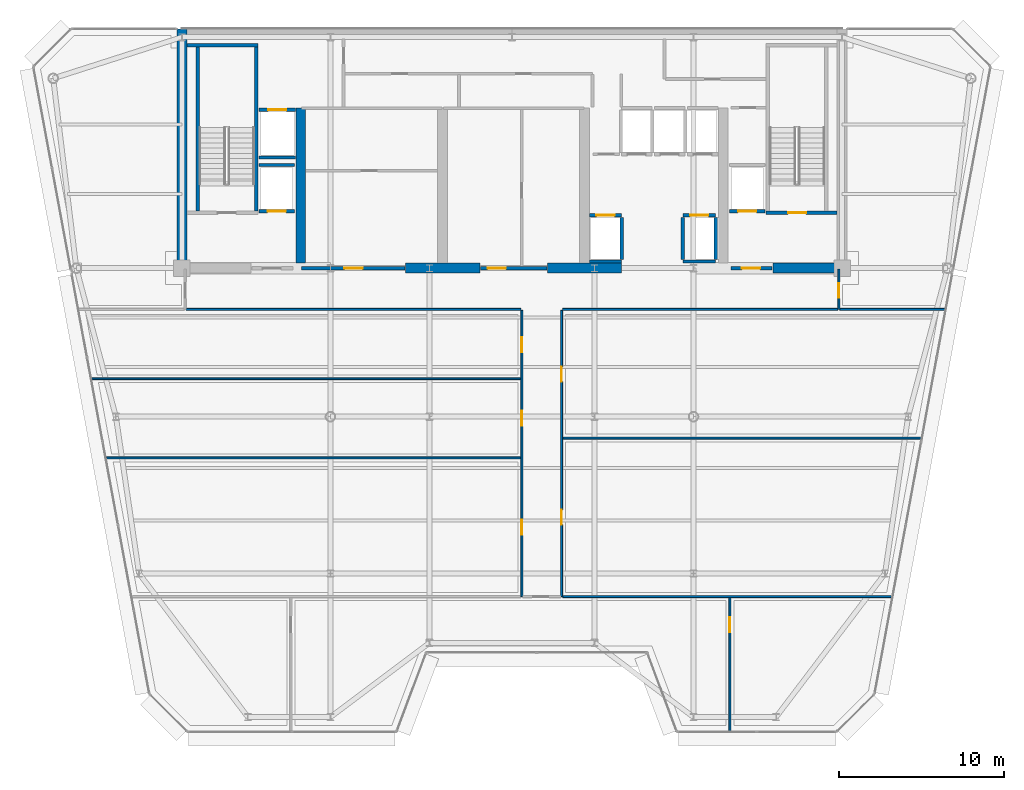
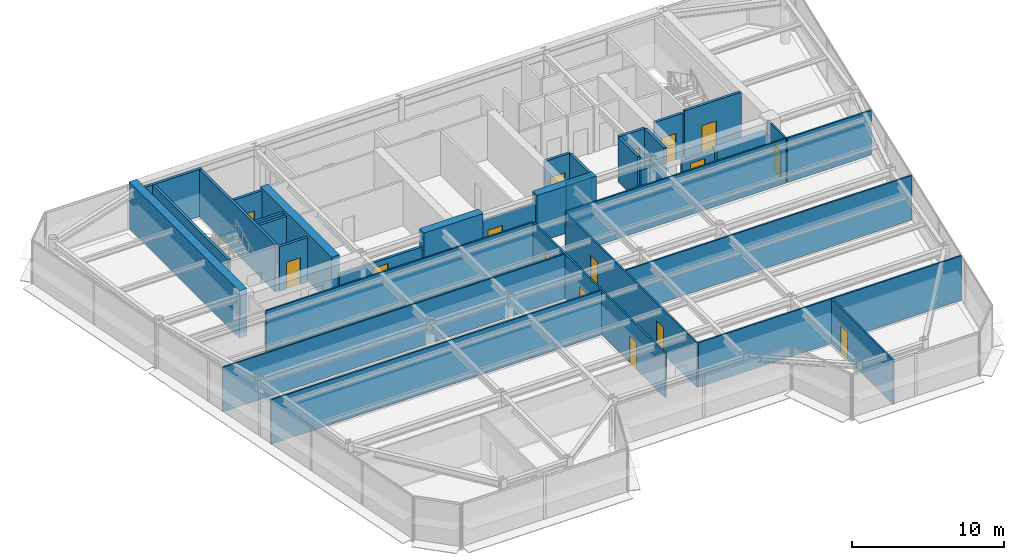
# One storey, part 11 of 17: 35 walls, 16 doors, 16 openings.
"""IFC4 building model written with IfcOpenShell, lengths in metres."""

from ifc_helpers import new_model, si_unit, direction, frame, frame_2d, origin, place, context, subcontext, project, spatial, rectangle, extrude, source, transform, mapped, material, layer, layer_set, type_object, element, fill, save


model = new_model("IFC4")

# Units and contexts
model_context = context("Model", 3, precision=1e-05, world=origin(), true_north=direction((0.0, 1.0)))
body_context = subcontext(model_context, "Body", "Model", "MODEL_VIEW")
ifc_project = project(units=[si_unit("LENGTHUNIT", "METRE"), si_unit("AREAUNIT", "SQUARE_METRE"), si_unit("VOLUMEUNIT", "CUBIC_METRE"), si_unit("PLANEANGLEUNIT", "RADIAN"), si_unit("MASSUNIT", "GRAM", prefix="KILO")], contexts=[model_context])

# Site, building, storey
site_placement = place(None, origin())
site = spatial("IfcSite", under=ifc_project, at=site_placement, CompositionType="ELEMENT")
building_placement = place(site_placement, origin())
building = spatial("IfcBuilding", under=site, at=building_placement, Name="Vaeldorn Concourse Tower", CompositionType="ELEMENT")
storey_placement = place(building_placement, frame((0.0, 0.0, 230.800048828125)))
storey = spatial("IfcBuildingStorey", under=building, at=storey_placement, Name="L59", CompositionType="ELEMENT", Elevation=230.800048828125)

# Walls
ifc_material_1 = material(Name="Concrete C50/60", Category="concrete")
ifc_layer_1 = layer(ifc_material_1, 0.60009765625)
ifc_layer_set_1 = layer_set([ifc_layer_1], Name="Concrete C50/60")
wall_type_1 = type_object("IfcWallType", Name="WL-CORE-600", PredefinedType="SHEAR", material=ifc_layer_set_1)
wall_1_placement = place(storey_placement, frame((14.0, 36.5, 0.0), z_axis=(0.0, 0.0, 1.0), x_axis=(0.0, 1.0, 0.0)))
element("IfcWall", 1, at=wall_1_placement, inside=storey, type_object=wall_type_1, Name="Rear Core Shear Wall L59 W1", PredefinedType="SHEAR", context=body_context, shape_type="SweptSolid", body=[
    extrude(rectangle(XDim=14.5, YDim=0.60009765625, at=frame_2d((7.25, 0.0))), origin(), (0.0, 0.0, 1.0), 3.800048828125),
])
for number, where, z_axis, x_axis, name in (
    (2, (27.550048828125, 36.5, 0.0), (0.0, 0.0, 1.0), (1.0, 0.0, 0.0), "Rear Core Shear Wall L59 S2"),
    (3, (36.14990234375, 36.5, 0.0), (0.0, 0.0, 1.0), (1.0, 0.0, 0.0), "Rear Core Shear Wall L59 S3"),
):
    element("IfcWall", number, at=place(storey_placement, frame(where, z_axis=z_axis, x_axis=x_axis)), inside=storey, type_object=wall_type_1, Name=name, PredefinedType="SHEAR", context=body_context, shape_type="SweptSolid", body=[
        extrude(rectangle(XDim=4.5, YDim=0.60009765625, at=frame_2d((2.25, 0.0))), origin(), (0.0, 0.0, 1.0), 3.800048828125),
    ])
wall_2_placement = place(storey_placement, frame((49.800048828125, 36.5, 0.0), z_axis=(0.0, 0.0, 1.0), x_axis=(1.0, 0.0, 0.0)))
element("IfcWall", 4, at=wall_2_placement, inside=storey, type_object=wall_type_1, Name="Rear Core Shear Wall L59 S4", PredefinedType="SHEAR", context=body_context, shape_type="SweptSolid", body=[
    extrude(rectangle(XDim=3.8798828125, YDim=0.60009765625, at=frame_2d((1.93994140625, 0.0))), origin(), (0.0, 0.0, 1.0), 2.579833984375),
])
wall_3_placement = place(storey_placement, frame((21.199951171875, 36.820068359375, 0.0), z_axis=(0.0, 0.0, 1.0), x_axis=(0.0, 1.0, 0.0)))
element("IfcWall", 5, at=wall_3_placement, inside=storey, type_object=wall_type_1, Name="Rear Core Shear Wall L59 M1", PredefinedType="SHEAR", context=body_context, shape_type="SweptSolid", body=[
    extrude(rectangle(XDim=9.3798828125, YDim=0.60009765625, at=frame_2d((4.68994140625, 0.0))), origin(), (0.0, 0.0, 1.0), 3.800048828125),
])
ifc_material_2 = material(Name="Gypsum Board Partition", Category="gypsum")
ifc_layer_2 = layer(ifc_material_2, 0.1201171875)
ifc_layer_set_2 = layer_set([ifc_layer_2], Name="Gypsum Board Partition")
wall_type_2 = type_object("IfcWallType", Name="WL-PART-120", PredefinedType="PARTITIONING", material=ifc_layer_set_2)
wall_4_placement = place(storey_placement, frame((14.260009765625, 34.0, 0.0), z_axis=(0.0, 0.0, 1.0), x_axis=(1.0, 0.0, 0.0)))
element("IfcWall", 6, at=wall_4_placement, inside=storey, type_object=wall_type_2, Name="Interior Wall PW-L59-C3SW", PredefinedType="PARTITIONING", context=body_context, shape_type="SweptSolid", body=[
    extrude(rectangle(XDim=20.280029296875, YDim=0.1201171875, at=frame_2d((10.14013671875, 0.0))), origin(), (0.0, 0.0, 1.0), 3.579833984375),
])
wall_5_placement = place(storey_placement, frame((37.06005859375, 34.0, 0.0), z_axis=(0.0, 0.0, 1.0), x_axis=(1.0, 0.0, 0.0)))
element("IfcWall", 7, at=wall_5_placement, inside=storey, type_object=wall_type_2, Name="Interior Wall PW-L59-C3SE", PredefinedType="PARTITIONING", context=body_context, shape_type="SweptSolid", body=[
    extrude(rectangle(XDim=16.679931640625, YDim=0.1201171875, at=frame_2d((8.33984375, 0.0))), origin(), (0.0, 0.0, 1.0), 3.579833984375),
])

# Wall, opening, door
wall_6_placement = place(storey_placement, frame((53.800048828125, 34.0, 0.0), z_axis=(0.0, 0.0, 1.0), x_axis=(0.0, 1.0, 0.0)))
wall_6 = element("IfcWall", 8, at=wall_6_placement, inside=storey, type_object=wall_type_2, Name="Interior Wall PW-L59-C3E", PredefinedType="PARTITIONING", context=body_context, shape_type="SweptSolid", body=[
    extrude(rectangle(XDim=2.43994140625, YDim=0.1201171875, at=frame_2d((1.219970703125, 0.0))), origin(), (0.0, 0.0, 1.0), 3.579833984375),
])
opening_1_placement = place(wall_6_placement, frame((0.699951171875, 0.0, 0.0)))
opening_1 = element("IfcOpeningElement", 9, at=opening_1_placement, cuts=wall_6, Name="Opening D-03", PredefinedType="OPENING", context=body_context, shape_type="SweptSolid", body=[
    extrude(rectangle(XDim=0.89990234375, YDim=2.14990234375, at=frame_2d((0.449951171875, 1.074951171875))), frame((0.0, 0.070068359375, 0.0), z_axis=(0.0, -1.0, 0.0), x_axis=(1.0, 0.0, 0.0)), (0.0, 0.0, 1.0), 0.14013671875),
])
ifc_material_3 = material(Name="Acoustic Bronze-Framed Glass Door", Category="glass")
door_type_1 = type_object("IfcDoorType", Name="DR-INT-900", OperationType="NOTDEFINED", PredefinedType="DOOR", material=ifc_material_3)
shared_shape_1 = source(origin(), body_context, "Body", "SweptSolid", [
    extrude(rectangle(XDim=0.89990234375, YDim=2.14990234375, at=frame_2d((0.449951171875, 1.074951171875))), frame((0.0, 0.02490234375, 0.0), z_axis=(0.0, -1.0, 0.0), x_axis=(1.0, 0.0, 0.0)), (0.0, 0.0, 1.0), 0.050048828125),
])
door_1_placement = place(opening_1_placement, origin())
door_1 = element("IfcDoor", 10, at=door_1_placement, inside=storey, type_object=door_type_1, Name="Interior Door DR-L59-Z3NE", OperationType="SINGLE_SWING_RIGHT", OverallHeight=2.14990234375, OverallWidth=0.89990234375, PredefinedType="DOOR", context=body_context, shape_type="MappedRepresentation", body=[
    mapped(shared_shape_1, transform((0.0, 0.0, 0.0), scale=1.0)),
])
fill(opening_1, door_1)

# Wall, openings, doors
wall_7_placement = place(storey_placement, frame((34.60009765625, 16.60009765625, 0.0), z_axis=(0.0, 0.0, 1.0), x_axis=(0.0, 1.0, 0.0)))
wall_7 = element("IfcWall", 11, at=wall_7_placement, inside=storey, type_object=wall_type_2, Name="Interior Wall PW-L59-CSPW", PredefinedType="PARTITIONING", context=body_context, shape_type="SweptSolid", body=[
    extrude(rectangle(XDim=17.33984375, YDim=0.1201171875, at=frame_2d((8.669921875, 0.0))), origin(), (0.0, 0.0, 1.0), 3.579833984375),
])
opening_2_placement = place(wall_7_placement, frame((3.75, 0.0, 0.0)))
opening_2 = element("IfcOpeningElement", 12, at=opening_2_placement, cuts=wall_7, Name="Opening D-03", PredefinedType="OPENING", context=body_context, shape_type="SweptSolid", body=[
    extrude(rectangle(XDim=0.89990234375, YDim=2.14990234375, at=frame_2d((0.449951171875, 1.074951171875))), frame((0.0, 0.070068359375, 0.0), z_axis=(0.0, -1.0, 0.0), x_axis=(1.0, 0.0, 0.0)), (0.0, 0.0, 1.0), 0.14013671875),
])
opening_3_placement = place(wall_7_placement, frame((10.35009765625, 0.0, 0.0)))
opening_3 = element("IfcOpeningElement", 13, at=opening_3_placement, cuts=wall_7, Name="Opening D-03", PredefinedType="OPENING", context=body_context, shape_type="SweptSolid", body=[
    extrude(rectangle(XDim=0.89990234375, YDim=2.14990234375, at=frame_2d((0.449951171875, 1.074951171875))), frame((0.0, 0.070068359375, 0.0), z_axis=(0.0, -1.0, 0.0), x_axis=(1.0, 0.0, 0.0)), (0.0, 0.0, 1.0), 0.14013671875),
])
opening_4_placement = place(wall_7_placement, frame((14.820068359375, 0.0, 0.0)))
opening_4 = element("IfcOpeningElement", 14, at=opening_4_placement, cuts=wall_7, Name="Opening D-03", PredefinedType="OPENING", context=body_context, shape_type="SweptSolid", body=[
    extrude(rectangle(XDim=0.89990234375, YDim=2.14990234375, at=frame_2d((0.449951171875, 1.074951171875))), frame((0.0, 0.070068359375, 0.0), z_axis=(0.0, -1.0, 0.0), x_axis=(1.0, 0.0, 0.0)), (0.0, 0.0, 1.0), 0.14013671875),
])
door_2_placement = place(opening_2_placement, origin())
door_2 = element("IfcDoor", 15, at=door_2_placement, inside=storey, type_object=door_type_1, Name="Interior Door DR-L59-Z3W1", OperationType="SINGLE_SWING_LEFT", OverallHeight=2.14990234375, OverallWidth=0.89990234375, PredefinedType="DOOR", context=body_context, shape_type="MappedRepresentation", body=[
    mapped(shared_shape_1, transform((0.0, 0.0, 0.0), scale=1.0)),
])
fill(opening_2, door_2)
door_3_placement = place(opening_3_placement, origin())
door_3 = element("IfcDoor", 16, at=door_3_placement, inside=storey, type_object=door_type_1, Name="Interior Door DR-L59-Z3W2", OperationType="SINGLE_SWING_RIGHT", OverallHeight=2.14990234375, OverallWidth=0.89990234375, PredefinedType="DOOR", context=body_context, shape_type="MappedRepresentation", body=[
    mapped(shared_shape_1, transform((0.0, 0.0, 0.0), scale=1.0)),
])
fill(opening_3, door_3)
door_4_placement = place(opening_4_placement, origin())
door_4 = element("IfcDoor", 17, at=door_4_placement, inside=storey, type_object=door_type_1, Name="Interior Door DR-L59-Z3W3", OperationType="SINGLE_SWING_LEFT", OverallHeight=2.14990234375, OverallWidth=0.89990234375, PredefinedType="DOOR", context=body_context, shape_type="MappedRepresentation", body=[
    mapped(shared_shape_1, transform((0.0, 0.0, 0.0), scale=1.0)),
])
fill(opening_4, door_4)

wall_8_placement = place(storey_placement, frame((37.0, 16.60009765625, 0.0), z_axis=(0.0, 0.0, 1.0), x_axis=(0.0, 1.0, 0.0)))
wall_8 = element("IfcWall", 18, at=wall_8_placement, inside=storey, type_object=wall_type_2, Name="Interior Wall PW-L59-CSPE", PredefinedType="PARTITIONING", context=body_context, shape_type="SweptSolid", body=[
    extrude(rectangle(XDim=17.33984375, YDim=0.1201171875, at=frame_2d((8.669921875, 0.0))), origin(), (0.0, 0.0, 1.0), 3.579833984375),
])
opening_5_placement = place(wall_8_placement, frame((4.35009765625, 0.0, 0.0)))
opening_5 = element("IfcOpeningElement", 19, at=opening_5_placement, cuts=wall_8, Name="Opening D-03", PredefinedType="OPENING", context=body_context, shape_type="SweptSolid", body=[
    extrude(rectangle(XDim=0.89990234375, YDim=2.14990234375, at=frame_2d((0.449951171875, 1.074951171875))), frame((0.0, 0.070068359375, 0.0), z_axis=(0.0, -1.0, 0.0), x_axis=(1.0, 0.0, 0.0)), (0.0, 0.0, 1.0), 0.14013671875),
])
opening_6_placement = place(wall_8_placement, frame((13.02001953125, 0.0, 0.0)))
opening_6 = element("IfcOpeningElement", 20, at=opening_6_placement, cuts=wall_8, Name="Opening D-03", PredefinedType="OPENING", context=body_context, shape_type="SweptSolid", body=[
    extrude(rectangle(XDim=0.89990234375, YDim=2.14990234375, at=frame_2d((0.449951171875, 1.074951171875))), frame((0.0, 0.070068359375, 0.0), z_axis=(0.0, -1.0, 0.0), x_axis=(1.0, 0.0, 0.0)), (0.0, 0.0, 1.0), 0.14013671875),
])
door_5_placement = place(opening_5_placement, origin())
door_5 = element("IfcDoor", 21, at=door_5_placement, inside=storey, type_object=door_type_1, Name="Interior Door DR-L59-Z3E1", OperationType="SINGLE_SWING_RIGHT", OverallHeight=2.14990234375, OverallWidth=0.89990234375, PredefinedType="DOOR", context=body_context, shape_type="MappedRepresentation", body=[
    mapped(shared_shape_1, transform((0.0, 0.0, 0.0), scale=1.0)),
])
fill(opening_5, door_5)
door_6_placement = place(opening_6_placement, origin())
door_6 = element("IfcDoor", 22, at=door_6_placement, inside=storey, type_object=door_type_1, Name="Interior Door DR-L59-Z3E2", OperationType="SINGLE_SWING_LEFT", OverallHeight=2.14990234375, OverallWidth=0.89990234375, PredefinedType="DOOR", context=body_context, shape_type="MappedRepresentation", body=[
    mapped(shared_shape_1, transform((0.0, 0.0, 0.0), scale=1.0)),
])
fill(opening_6, door_6)

# Walls
wall_9_placement = place(storey_placement, frame((53.860107421875, 34.0, 0.0), z_axis=(0.0, 0.0, 1.0), x_axis=(1.0, 0.0, 0.0)))
element("IfcWall", 23, at=wall_9_placement, inside=storey, type_object=wall_type_2, Name="Interior Wall PW-L59-Z3NEB", PredefinedType="PARTITIONING", context=body_context, shape_type="SweptSolid", body=[
    extrude(rectangle(XDim=6.380859375, YDim=0.1201171875, at=frame_2d((3.1904296875, 0.0))), origin(), (0.0, 0.0, 1.0), 3.579833984375),
])
wall_10_placement = place(storey_placement, frame((9.423828125, 25.0, 0.0), z_axis=(0.0, 0.0, 1.0), x_axis=(1.0, 0.0, 0.0)))
element("IfcWall", 24, at=wall_10_placement, inside=storey, type_object=wall_type_2, Name="Interior Wall PW-L59-Z3WY1", PredefinedType="PARTITIONING", context=body_context, shape_type="SweptSolid", body=[
    extrude(rectangle(XDim=25.1162109375, YDim=0.1201171875, at=frame_2d((12.55810546875, 0.0))), origin(), (0.0, 0.0, 1.0), 3.579833984375),
])
wall_11_placement = place(storey_placement, frame((8.535888671875, 29.800048828125, 0.0), z_axis=(0.0, 0.0, 1.0), x_axis=(1.0, 0.0, 0.0)))
element("IfcWall", 25, at=wall_11_placement, inside=storey, type_object=wall_type_2, Name="Interior Wall PW-L59-Z3WY2", PredefinedType="PARTITIONING", context=body_context, shape_type="SweptSolid", body=[
    extrude(rectangle(XDim=26.004150390625, YDim=0.1201171875, at=frame_2d((13.001953125, 0.0))), origin(), (0.0, 0.0, 1.0), 3.579833984375),
])
wall_12_placement = place(storey_placement, frame((37.06005859375, 26.199951171875, 0.0), z_axis=(0.0, 0.0, 1.0), x_axis=(1.0, 0.0, 0.0)))
element("IfcWall", 26, at=wall_12_placement, inside=storey, type_object=wall_type_2, Name="Interior Wall PW-L59-Z3EY1", PredefinedType="PARTITIONING", context=body_context, shape_type="SweptSolid", body=[
    extrude(rectangle(XDim=21.738037109375, YDim=0.1201171875, at=frame_2d((10.869140625, 0.0))), origin(), (0.0, 0.0, 1.0), 3.579833984375),
])
wall_13_placement = place(storey_placement, frame((37.06005859375, 16.60009765625, 0.0), z_axis=(0.0, 0.0, 1.0), x_axis=(1.0, 0.0, 0.0)))
element("IfcWall", 27, at=wall_13_placement, inside=storey, type_object=wall_type_2, Name="Interior Wall PW-L59-Z3SEL", PredefinedType="PARTITIONING", context=body_context, shape_type="SweptSolid", body=[
    extrude(rectangle(XDim=19.962158203125, YDim=0.1201171875, at=frame_2d((9.98095703125, 0.0))), origin(), (0.0, 0.0, 1.0), 3.579833984375),
])

# Wall, opening, door
wall_14_placement = place(storey_placement, frame((47.199951171875, 8.43994140625, 0.0), z_axis=(0.0, 0.0, 1.0), x_axis=(0.0, 1.0, 0.0)))
wall_14 = element("IfcWall", 28, at=wall_14_placement, inside=storey, type_object=wall_type_2, Name="Interior Wall PW-L59-Z3SX2", PredefinedType="PARTITIONING", context=body_context, shape_type="SweptSolid", body=[
    extrude(rectangle(XDim=8.10009765625, YDim=0.1201171875, at=frame_2d((4.050048828125, 0.0))), origin(), (0.0, 0.0, 1.0), 3.579833984375),
])
opening_7_placement = place(wall_14_placement, frame((6.0, 0.0, 0.0)))
opening_7 = element("IfcOpeningElement", 29, at=opening_7_placement, cuts=wall_14, Name="Opening D-03", PredefinedType="OPENING", context=body_context, shape_type="SweptSolid", body=[
    extrude(rectangle(XDim=0.89990234375, YDim=2.14990234375, at=frame_2d((0.449951171875, 1.074951171875))), frame((0.0, 0.070068359375, 0.0), z_axis=(0.0, -1.0, 0.0), x_axis=(1.0, 0.0, 0.0)), (0.0, 0.0, 1.0), 0.14013671875),
])
door_7_placement = place(opening_7_placement, origin())
door_7 = element("IfcDoor", 30, at=door_7_placement, inside=storey, type_object=door_type_1, Name="Interior Door DR-L59-Z3SX2", OperationType="SINGLE_SWING_LEFT", OverallHeight=2.14990234375, OverallWidth=0.89990234375, PredefinedType="DOOR", context=body_context, shape_type="MappedRepresentation", body=[
    mapped(shared_shape_1, transform((0.0, 0.0, 0.0), scale=1.0)),
])
fill(opening_7, door_7)

# Walls
ifc_layer_3 = layer(ifc_material_1, 0.199951171875)
ifc_layer_set_3 = layer_set([ifc_layer_3], Name="Concrete C50/60")
wall_type_3 = type_object("IfcWallType", Name="WL-SHAFT-200", PredefinedType="SOLIDWALL", material=ifc_layer_set_3)
wall_15_placement = place(storey_placement, frame((14.300048828125, 50.0, 0.0), z_axis=(0.0, 0.0, 1.0), x_axis=(1.0, 0.0, 0.0)))
element("IfcWall", 31, at=wall_15_placement, inside=storey, type_object=wall_type_3, Name="Stair Shaft Wall CW-L59-ST-1-N", PredefinedType="SOLIDWALL", context=body_context, shape_type="SweptSolid", body=[
    extrude(rectangle(XDim=4.300048828125, YDim=0.199951171875, at=frame_2d((2.14990234375, 0.0))), origin(), (0.0, 0.0, 1.0), 3.800048828125),
])
for number, where, z_axis, x_axis, name in (
    (32, (14.949951171875, 39.9599609375, 0.0), (0.0, 0.0, 1.0), (0.0, 1.0, 0.0), "Stair Shaft Wall CW-L59-ST-1-W"),
    (33, (18.5, 39.9599609375, 0.0), (0.0, 0.0, 1.0), (0.0, 1.0, 0.0), "Stair Shaft Wall CW-L59-ST-1-E"),
):
    element("IfcWall", number, at=place(storey_placement, frame(where, z_axis=z_axis, x_axis=x_axis)), inside=storey, type_object=wall_type_3, Name=name, PredefinedType="SOLIDWALL", context=body_context, shape_type="SweptSolid", body=[
        extrude(rectangle(XDim=9.929931640625, YDim=0.199951171875, at=frame_2d((4.96484375, 0.0))), origin(), (0.0, 0.0, 1.0), 3.800048828125),
    ])

# Wall, opening, door
wall_16_placement = place(storey_placement, frame((49.39990234375, 39.85009765625, 0.0), z_axis=(0.0, 0.0, 1.0), x_axis=(1.0, 0.0, 0.0)))
wall_16 = element("IfcWall", 34, at=wall_16_placement, inside=storey, type_object=wall_type_3, Name="Stair Shaft Wall CW-L59-ST-2-S", PredefinedType="SOLIDWALL", context=body_context, shape_type="SweptSolid", body=[
    extrude(rectangle(XDim=4.300048828125, YDim=0.199951171875, at=frame_2d((2.14990234375, 0.0))), origin(), (0.0, 0.0, 1.0), 3.800048828125),
])
opening_8_placement = place(wall_16_placement, frame((1.324951171875, 0.0, 0.0)))
opening_8 = element("IfcOpeningElement", 35, at=opening_8_placement, cuts=wall_16, Name="Opening D-01", PredefinedType="OPENING", context=body_context, shape_type="SweptSolid", body=[
    extrude(rectangle(XDim=1.10009765625, YDim=2.14990234375, at=frame_2d((0.550048828125, 1.074951171875))), frame((0.0, 0.10986328125, 0.0), z_axis=(0.0, -1.0, 0.0), x_axis=(1.0, 0.0, 0.0)), (0.0, 0.0, 1.0), 0.219970703125),
])
ifc_material_4 = material(Name="Fire-Rated Timber and Steel Leaf", Category="steel")
door_type_2 = type_object("IfcDoorType", Name="DR-FD60-1100", OperationType="NOTDEFINED", PredefinedType="DOOR", material=ifc_material_4)
shared_shape_2 = source(origin(), body_context, "Body", "SweptSolid", [
    extrude(rectangle(XDim=1.10009765625, YDim=2.14990234375, at=frame_2d((0.550048828125, 1.074951171875))), frame((0.0, 0.02490234375, 0.0), z_axis=(0.0, -1.0, 0.0), x_axis=(1.0, 0.0, 0.0)), (0.0, 0.0, 1.0), 0.050048828125),
])
door_8_placement = place(opening_8_placement, origin())
door_8 = element("IfcDoor", 36, at=door_8_placement, inside=storey, type_object=door_type_2, Name="Interior Door DR-L59-ST-2", OperationType="SINGLE_SWING_RIGHT", OverallHeight=2.14990234375, OverallWidth=1.10009765625, PredefinedType="DOOR", context=body_context, shape_type="MappedRepresentation", body=[
    mapped(shared_shape_2, transform((0.0, 0.0, 0.0), scale=1.0)),
])
fill(opening_8, door_8)

wall_17_placement = place(storey_placement, frame((47.280029296875, 36.5, 0.0), z_axis=(0.0, 0.0, 1.0), x_axis=(1.0, 0.0, 0.0)))
wall_17 = element("IfcWall", 37, at=wall_17_placement, inside=storey, type_object=wall_type_3, Name="Interior Wall CW-L59-FF2S", PredefinedType="SOLIDWALL", context=body_context, shape_type="SweptSolid", body=[
    extrude(rectangle(XDim=2.469970703125, YDim=0.199951171875, at=frame_2d((1.23486328125, 0.0))), origin(), (0.0, 0.0, 1.0), 2.570068359375),
])
opening_9_placement = place(wall_17_placement, frame((0.64990234375, 0.0, 0.0)))
opening_9 = element("IfcOpeningElement", 38, at=opening_9_placement, cuts=wall_17, Name="Opening D-01", PredefinedType="OPENING", context=body_context, shape_type="SweptSolid", body=[
    extrude(rectangle(XDim=1.10009765625, YDim=2.14990234375, at=frame_2d((0.550048828125, 1.074951171875))), frame((0.0, 0.10986328125, 0.0), z_axis=(0.0, -1.0, 0.0), x_axis=(1.0, 0.0, 0.0)), (0.0, 0.0, 1.0), 0.219970703125),
])
door_9_placement = place(opening_9_placement, origin())
door_9 = element("IfcDoor", 39, at=door_9_placement, inside=storey, type_object=door_type_2, Name="Interior Door DR-L59-FF2W", OperationType="SINGLE_SWING_LEFT", OverallHeight=2.14990234375, OverallWidth=1.10009765625, PredefinedType="DOOR", context=body_context, shape_type="MappedRepresentation", body=[
    mapped(shared_shape_2, transform((0.0, 0.0, 0.0), scale=1.0)),
])
fill(opening_9, door_9)

wall_18_placement = place(storey_placement, frame((38.7099609375, 39.699951171875, 0.0), z_axis=(0.0, 0.0, 1.0), x_axis=(1.0, 0.0, 0.0)))
wall_18 = element("IfcWall", 40, at=wall_18_placement, inside=storey, type_object=wall_type_3, Name="Interior Wall CW-L59-LF-LF-13", PredefinedType="SOLIDWALL", context=body_context, shape_type="SweptSolid", body=[
    extrude(rectangle(XDim=1.919921875, YDim=0.199951171875, at=frame_2d((0.9599609375, 0.0))), origin(), (0.0, 0.0, 1.0), 3.579833984375),
])
opening_10_placement = place(wall_18_placement, frame((0.409912109375, 0.0, 0.0)))
opening_10 = element("IfcOpeningElement", 41, at=opening_10_placement, cuts=wall_18, Name="Opening LD-1", PredefinedType="OPENING", context=body_context, shape_type="SweptSolid", body=[
    extrude(rectangle(XDim=1.10009765625, YDim=2.14990234375, at=frame_2d((0.550048828125, 1.074951171875))), frame((0.0, 0.10986328125, 0.0), z_axis=(0.0, -1.0, 0.0), x_axis=(1.0, 0.0, 0.0)), (0.0, 0.0, 1.0), 0.219970703125),
])
ifc_material_5 = material(Name="Anodised Bronze Aluminium", Category="aluminium")
door_type_3 = type_object("IfcDoorType", Name="DR-LIFT-SLIDE-1100", OperationType="DOUBLE_DOOR_SLIDING", PredefinedType="DOOR", material=ifc_material_5)
door_10_placement = place(opening_10_placement, origin())
door_10 = element("IfcDoor", 42, at=door_10_placement, inside=storey, type_object=door_type_3, Name="Lift Landing Door LD-L59-LF-13", OperationType="DOUBLE_DOOR_SLIDING", OverallHeight=2.14990234375, OverallWidth=1.10009765625, PredefinedType="DOOR", context=body_context, shape_type="MappedRepresentation", body=[
    mapped(shared_shape_2, transform((0.0, 0.0, 0.0), scale=1.0)),
])
fill(opening_10, door_10)

# Walls
wall_19_placement = place(storey_placement, frame((38.7099609375, 36.89990234375, 0.0), z_axis=(0.0, 0.0, 1.0), x_axis=(1.0, 0.0, 0.0)))
element("IfcWall", 43, at=wall_19_placement, inside=storey, type_object=wall_type_3, Name="Interior Wall CW-L59-LFB-LF-13", PredefinedType="SOLIDWALL", context=body_context, shape_type="SweptSolid", body=[
    extrude(rectangle(XDim=1.919921875, YDim=0.199951171875, at=frame_2d((0.9599609375, 0.0))), origin(), (0.0, 0.0, 1.0), 3.579833984375),
])
wall_20_placement = place(storey_placement, frame((40.64990234375, 37.02001953125, 0.0), z_axis=(0.0, 0.0, 1.0), x_axis=(0.0, 1.0, 0.0)))
element("IfcWall", 44, at=wall_20_placement, inside=storey, type_object=wall_type_3, Name="Interior Wall CW-L59-LFE-LF-13", PredefinedType="SOLIDWALL", context=body_context, shape_type="SweptSolid", body=[
    extrude(rectangle(XDim=2.56005859375, YDim=0.199951171875, at=frame_2d((1.280029296875, 0.0))), origin(), (0.0, 0.0, 1.0), 3.579833984375),
])

# Wall, opening, door
wall_21_placement = place(storey_placement, frame((44.3701171875, 39.699951171875, 0.0), z_axis=(0.0, 0.0, 1.0), x_axis=(1.0, 0.0, 0.0)))
wall_21 = element("IfcWall", 45, at=wall_21_placement, inside=storey, type_object=wall_type_3, Name="Interior Wall CW-L59-LF-LF-14", PredefinedType="SOLIDWALL", context=body_context, shape_type="SweptSolid", body=[
    extrude(rectangle(XDim=1.9599609375, YDim=0.199951171875, at=frame_2d((0.97998046875, 0.0))), origin(), (0.0, 0.0, 1.0), 3.579833984375),
])
opening_11_placement = place(wall_21_placement, frame((0.429931640625, 0.0, 0.0)))
opening_11 = element("IfcOpeningElement", 46, at=opening_11_placement, cuts=wall_21, Name="Opening LD-1", PredefinedType="OPENING", context=body_context, shape_type="SweptSolid", body=[
    extrude(rectangle(XDim=1.10009765625, YDim=2.14990234375, at=frame_2d((0.550048828125, 1.074951171875))), frame((0.0, 0.10986328125, 0.0), z_axis=(0.0, -1.0, 0.0), x_axis=(1.0, 0.0, 0.0)), (0.0, 0.0, 1.0), 0.219970703125),
])
door_11_placement = place(opening_11_placement, origin())
door_11 = element("IfcDoor", 47, at=door_11_placement, inside=storey, type_object=door_type_3, Name="Lift Landing Door LD-L59-LF-14", OperationType="DOUBLE_DOOR_SLIDING", OverallHeight=2.14990234375, OverallWidth=1.10009765625, PredefinedType="DOOR", context=body_context, shape_type="MappedRepresentation", body=[
    mapped(shared_shape_2, transform((0.0, 0.0, 0.0), scale=1.0)),
])
fill(opening_11, door_11)

# Walls
wall_22_placement = place(storey_placement, frame((44.3701171875, 36.89990234375, 0.0), z_axis=(0.0, 0.0, 1.0), x_axis=(1.0, 0.0, 0.0)))
element("IfcWall", 48, at=wall_22_placement, inside=storey, type_object=wall_type_3, Name="Interior Wall CW-L59-LFB-LF-14", PredefinedType="SOLIDWALL", context=body_context, shape_type="SweptSolid", body=[
    extrude(rectangle(XDim=1.9599609375, YDim=0.199951171875, at=frame_2d((0.97998046875, 0.0))), origin(), (0.0, 0.0, 1.0), 2.570068359375),
])
for number, where, z_axis, x_axis, name in (
    (49, (44.35009765625, 37.02001953125, 0.0), (0.0, 0.0, 1.0), (0.0, 1.0, 0.0), "Interior Wall CW-L59-LFW-LF-14"),
    (50, (46.35009765625, 37.02001953125, 0.0), (0.0, 0.0, 1.0), (0.0, 1.0, 0.0), "Interior Wall CW-L59-LFE-LF-14"),
):
    element("IfcWall", number, at=place(storey_placement, frame(where, z_axis=z_axis, x_axis=x_axis)), inside=storey, type_object=wall_type_3, Name=name, PredefinedType="SOLIDWALL", context=body_context, shape_type="SweptSolid", body=[
        extrude(rectangle(XDim=2.56005859375, YDim=0.199951171875, at=frame_2d((1.280029296875, 0.0))), origin(), (0.0, 0.0, 1.0), 3.579833984375),
    ])

# Wall, opening, door
wall_23_placement = place(storey_placement, frame((18.669921875, 46.10009765625, 0.0), z_axis=(0.0, 0.0, 1.0), x_axis=(1.0, 0.0, 0.0)))
wall_23 = element("IfcWall", 51, at=wall_23_placement, inside=storey, type_object=wall_type_3, Name="Interior Wall CW-L59-LF-LF-SV1", PredefinedType="SOLIDWALL", context=body_context, shape_type="SweptSolid", body=[
    extrude(rectangle(XDim=2.219970703125, YDim=0.199951171875, at=frame_2d((1.10986328125, 0.0))), origin(), (0.0, 0.0, 1.0), 3.579833984375),
])
opening_12_placement = place(wall_23_placement, frame((0.56005859375, 0.0, 0.0)))
opening_12 = element("IfcOpeningElement", 52, at=opening_12_placement, cuts=wall_23, Name="Opening LD-1", PredefinedType="OPENING", context=body_context, shape_type="SweptSolid", body=[
    extrude(rectangle(XDim=1.10009765625, YDim=2.14990234375, at=frame_2d((0.550048828125, 1.074951171875))), frame((0.0, 0.10986328125, 0.0), z_axis=(0.0, -1.0, 0.0), x_axis=(1.0, 0.0, 0.0)), (0.0, 0.0, 1.0), 0.219970703125),
])
door_12_placement = place(opening_12_placement, origin())
door_12 = element("IfcDoor", 53, at=door_12_placement, inside=storey, type_object=door_type_3, Name="Lift Landing Door LD-L59-LF-SV1", OperationType="DOUBLE_DOOR_SLIDING", OverallHeight=2.14990234375, OverallWidth=1.10009765625, PredefinedType="DOOR", context=body_context, shape_type="MappedRepresentation", body=[
    mapped(shared_shape_2, transform((0.0, 0.0, 0.0), scale=1.0)),
])
fill(opening_12, door_12)

# Wall
wall_24_placement = place(storey_placement, frame((18.669921875, 43.199951171875, 0.0), z_axis=(0.0, 0.0, 1.0), x_axis=(1.0, 0.0, 0.0)))
element("IfcWall", 54, at=wall_24_placement, inside=storey, type_object=wall_type_3, Name="Interior Wall CW-L59-LFB-LF-SV1", PredefinedType="SOLIDWALL", context=body_context, shape_type="SweptSolid", body=[
    extrude(rectangle(XDim=2.219970703125, YDim=0.199951171875, at=frame_2d((1.10986328125, 0.0))), origin(), (0.0, 0.0, 1.0), 3.579833984375),
])

# Wall, opening, door
wall_25_placement = place(storey_placement, frame((18.669921875, 39.949951171875, 0.0), z_axis=(0.0, 0.0, 1.0), x_axis=(1.0, 0.0, 0.0)))
wall_25 = element("IfcWall", 55, at=wall_25_placement, inside=storey, type_object=wall_type_3, Name="Interior Wall CW-L59-LF-LF-FF1", PredefinedType="SOLIDWALL", context=body_context, shape_type="SweptSolid", body=[
    extrude(rectangle(XDim=2.16015625, YDim=0.199951171875, at=frame_2d((1.080078125, 0.0))), origin(), (0.0, 0.0, 1.0), 3.579833984375),
])
opening_13_placement = place(wall_25_placement, frame((0.530029296875, 0.0, 0.0)))
opening_13 = element("IfcOpeningElement", 56, at=opening_13_placement, cuts=wall_25, Name="Opening LD-1", PredefinedType="OPENING", context=body_context, shape_type="SweptSolid", body=[
    extrude(rectangle(XDim=1.10009765625, YDim=2.14990234375, at=frame_2d((0.550048828125, 1.074951171875))), frame((0.0, 0.10986328125, 0.0), z_axis=(0.0, -1.0, 0.0), x_axis=(1.0, 0.0, 0.0)), (0.0, 0.0, 1.0), 0.219970703125),
])
door_13_placement = place(opening_13_placement, origin())
door_13 = element("IfcDoor", 57, at=door_13_placement, inside=storey, type_object=door_type_3, Name="Lift Landing Door LD-L59-LF-FF1", OperationType="DOUBLE_DOOR_SLIDING", OverallHeight=2.14990234375, OverallWidth=1.10009765625, PredefinedType="DOOR", context=body_context, shape_type="MappedRepresentation", body=[
    mapped(shared_shape_2, transform((0.0, 0.0, 0.0), scale=1.0)),
])
fill(opening_13, door_13)

# Wall
wall_26_placement = place(storey_placement, frame((18.669921875, 42.75, 0.0), z_axis=(0.0, 0.0, 1.0), x_axis=(1.0, 0.0, 0.0)))
element("IfcWall", 58, at=wall_26_placement, inside=storey, type_object=wall_type_3, Name="Interior Wall CW-L59-LFB-LF-FF1", PredefinedType="SOLIDWALL", context=body_context, shape_type="SweptSolid", body=[
    extrude(rectangle(XDim=2.16015625, YDim=0.199951171875, at=frame_2d((1.080078125, 0.0))), origin(), (0.0, 0.0, 1.0), 3.579833984375),
])

# Wall, opening, door
wall_27_placement = place(storey_placement, frame((47.169921875, 39.949951171875, 0.0), z_axis=(0.0, 0.0, 1.0), x_axis=(1.0, 0.0, 0.0)))
wall_27 = element("IfcWall", 59, at=wall_27_placement, inside=storey, type_object=wall_type_3, Name="Interior Wall CW-L59-LF-LF-FF2", PredefinedType="SOLIDWALL", context=body_context, shape_type="SweptSolid", body=[
    extrude(rectangle(XDim=2.16015625, YDim=0.199951171875, at=frame_2d((1.080078125, 0.0))), origin(), (0.0, 0.0, 1.0), 3.579833984375),
])
opening_14_placement = place(wall_27_placement, frame((0.530029296875, 0.0, 0.0)))
opening_14 = element("IfcOpeningElement", 60, at=opening_14_placement, cuts=wall_27, Name="Opening LD-1", PredefinedType="OPENING", context=body_context, shape_type="SweptSolid", body=[
    extrude(rectangle(XDim=1.10009765625, YDim=2.14990234375, at=frame_2d((0.550048828125, 1.074951171875))), frame((0.0, 0.10986328125, 0.0), z_axis=(0.0, -1.0, 0.0), x_axis=(1.0, 0.0, 0.0)), (0.0, 0.0, 1.0), 0.219970703125),
])
door_14_placement = place(opening_14_placement, origin())
door_14 = element("IfcDoor", 61, at=door_14_placement, inside=storey, type_object=door_type_3, Name="Lift Landing Door LD-L59-LF-FF2", OperationType="DOUBLE_DOOR_SLIDING", OverallHeight=2.14990234375, OverallWidth=1.10009765625, PredefinedType="DOOR", context=body_context, shape_type="MappedRepresentation", body=[
    mapped(shared_shape_2, transform((0.0, 0.0, 0.0), scale=1.0)),
])
fill(opening_14, door_14)

wall_28_placement = place(storey_placement, frame((21.25, 36.5, 0.0), z_axis=(0.0, 0.0, 1.0), x_axis=(1.0, 0.0, 0.0)))
wall_28 = element("IfcWall", 62, at=wall_28_placement, inside=storey, type_object=wall_type_3, Name="Interior Wall CW-L59-R1S", PredefinedType="SOLIDWALL", context=body_context, shape_type="SweptSolid", body=[
    extrude(rectangle(XDim=6.27001953125, YDim=0.199951171875, at=frame_2d((3.135009765625, 0.0))), origin(), (0.0, 0.0, 1.0), 2.570068359375),
])
opening_15_placement = place(wall_28_placement, frame((2.60009765625, 0.0, 0.0)))
opening_15 = element("IfcOpeningElement", 63, at=opening_15_placement, cuts=wall_28, Name="Opening D-01", PredefinedType="OPENING", context=body_context, shape_type="SweptSolid", body=[
    extrude(rectangle(XDim=1.10009765625, YDim=2.14990234375, at=frame_2d((0.550048828125, 1.074951171875))), frame((0.0, 0.10986328125, 0.0), z_axis=(0.0, -1.0, 0.0), x_axis=(1.0, 0.0, 0.0)), (0.0, 0.0, 1.0), 0.219970703125),
])
door_15_placement = place(opening_15_placement, origin())
door_15 = element("IfcDoor", 64, at=door_15_placement, inside=storey, type_object=door_type_2, Name="Interior Door DR-L59-R1S", OperationType="SINGLE_SWING_LEFT", OverallHeight=2.14990234375, OverallWidth=1.10009765625, PredefinedType="DOOR", context=body_context, shape_type="MappedRepresentation", body=[
    mapped(shared_shape_2, transform((0.0, 0.0, 0.0), scale=1.0)),
])
fill(opening_15, door_15)

wall_29_placement = place(storey_placement, frame((32.080078125, 36.5, 0.0), z_axis=(0.0, 0.0, 1.0), x_axis=(1.0, 0.0, 0.0)))
wall_29 = element("IfcWall", 65, at=wall_29_placement, inside=storey, type_object=wall_type_3, Name="Interior Wall CW-L59-R2S", PredefinedType="SOLIDWALL", context=body_context, shape_type="SweptSolid", body=[
    extrude(rectangle(XDim=4.0400390625, YDim=0.199951171875, at=frame_2d((2.02001953125, 0.0))), origin(), (0.0, 0.0, 1.0), 3.02001953125),
])
opening_16_placement = place(wall_29_placement, frame((0.449951171875, 0.0, 0.0)))
opening_16 = element("IfcOpeningElement", 66, at=opening_16_placement, cuts=wall_29, Name="Opening D-01", PredefinedType="OPENING", context=body_context, shape_type="SweptSolid", body=[
    extrude(rectangle(XDim=1.10009765625, YDim=2.14990234375, at=frame_2d((0.550048828125, 1.074951171875))), frame((0.0, 0.10986328125, 0.0), z_axis=(0.0, -1.0, 0.0), x_axis=(1.0, 0.0, 0.0)), (0.0, 0.0, 1.0), 0.219970703125),
])
door_16_placement = place(opening_16_placement, origin())
door_16 = element("IfcDoor", 67, at=door_16_placement, inside=storey, type_object=door_type_2, Name="Interior Door DR-L59-R2W", OperationType="SINGLE_SWING_LEFT", OverallHeight=2.14990234375, OverallWidth=1.10009765625, PredefinedType="DOOR", context=body_context, shape_type="MappedRepresentation", body=[
    mapped(shared_shape_2, transform((0.0, 0.0, 0.0), scale=1.0)),
])
fill(opening_16, door_16)

save(model, "model.ifc")
